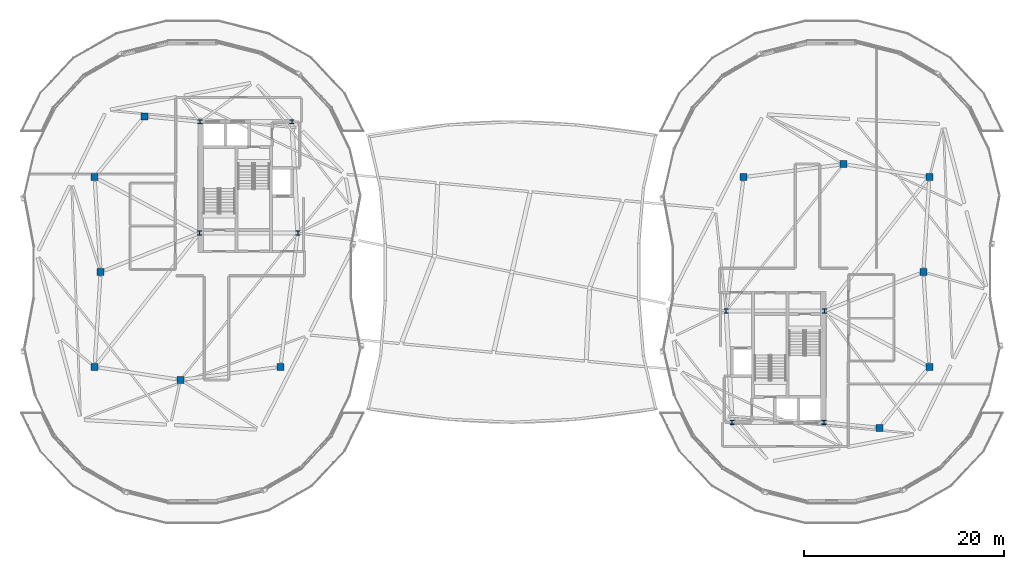
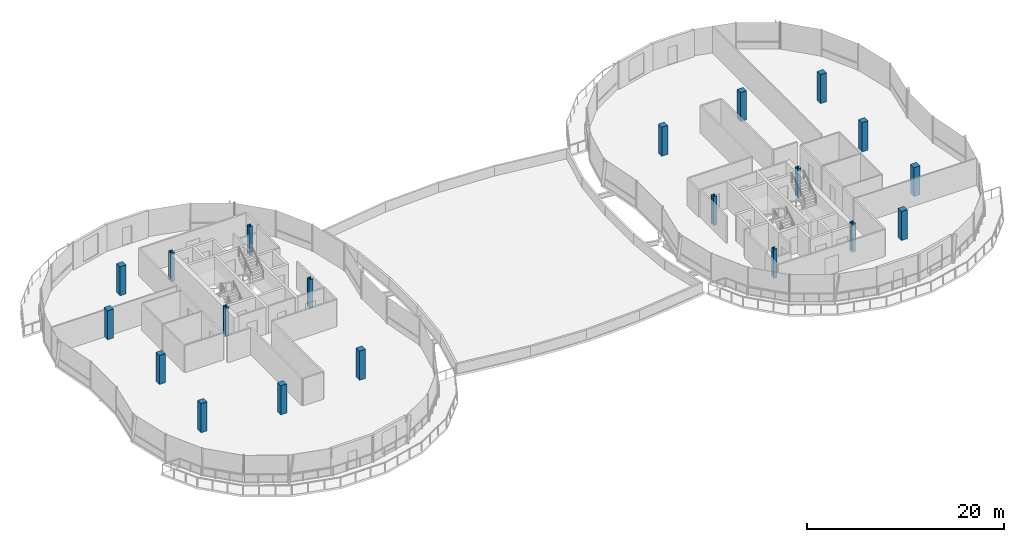
# One storey, part 1 of 31: 20 columns.
"""IFC4 building model written with IfcOpenShell, lengths in metres."""

from ifc_helpers import new_model, si_unit, direction, frame, origin, origin_2d, place, context, subcontext, project, spatial, rectangle, i_section, extrude, material, material_profile, profile_set, type_object, element, save


model = new_model("IFC4")

# Units and contexts
model_context = context("Model", 3, precision=1e-05, world=origin(), true_north=direction((0.0, 1.0)))
body_context = subcontext(model_context, "Body", "Model", "MODEL_VIEW")
ifc_project = project(units=[si_unit("LENGTHUNIT", "METRE"), si_unit("AREAUNIT", "SQUARE_METRE"), si_unit("VOLUMEUNIT", "CUBIC_METRE"), si_unit("PLANEANGLEUNIT", "RADIAN"), si_unit("MASSUNIT", "GRAM", prefix="KILO"), si_unit("THERMODYNAMICTEMPERATUREUNIT", "KELVIN"), si_unit("POWERUNIT", "WATT")], contexts=[model_context])

# Site, building, storey
site_placement = place(None, origin())
site = spatial("IfcSite", under=ifc_project, at=site_placement, CompositionType="ELEMENT")
building_placement = place(site_placement, origin())
building = spatial("IfcBuilding", under=site, at=building_placement, Name="Cundina Bronze Exchange", CompositionType="ELEMENT")
storey_placement = place(building_placement, frame((0.0, 0.0, 275.60009765625)))
storey = spatial("IfcBuildingStorey", under=building, at=storey_placement, Name="L73", CompositionType="ELEMENT", Elevation=275.60009765625)

# Columns
ifc_material_1 = material(Name="Concrete C50/60", Category="concrete")
ifc_material_profile_1 = material_profile(ifc_material_1, rectangle(XDim=0.699951171875, YDim=0.699951171875, at=origin_2d()), Name="RC700X700", Category="concrete")
ifc_profile_set_1 = profile_set([ifc_material_profile_1], Name="Concrete C50/60")
column_type_1 = type_object("IfcColumnType", Name="COL-CRN-700", PredefinedType="COLUMN", material=ifc_profile_set_1)
for number, where, z_axis, x_axis, name in (
    (1, (-41.199951171875, 0.0, 0.0), (0.0, 0.0, 1.0), (1.0, 0.0, 0.0), "L73 W Inner Ring Column 1"),
    (2, (-41.800048828125, 9.5, 0.0), (0.0, 0.0, 1.0), (1.0, 0.0, 0.0), "L73 W Inner Ring Column 2"),
    (3, (-36.800048828125, 15.60009765625, 0.0), (0.0, 0.0, 1.0), (1.0, 0.0, 0.0), "L73 W Inner Ring Column 3"),
    (4, (-41.800048828125, -9.5, 0.0), (0.0, 0.0, 1.0), (1.0, 0.0, 0.0), "L73 W Inner Ring Column 4"),
    (5, (-33.199951171875, -10.800048828125, 0.0), (0.0, 0.0, 1.0), (1.0, 0.0, 0.0), "L73 W Inner Ring Column 5"),
    (6, (-23.199951171875, -9.5, 0.0), (0.0, 0.0, 1.0), (1.0, 0.0, 0.0), "L73 W Inner Ring Column 6"),
    (7, (41.199951171875, 0.0, 0.0), (0.0, 0.0, 1.0), (1.0, 0.0, 0.0), "L73 E Inner Ring Column 1"),
    (8, (41.800048828125, -9.5, 0.0), (0.0, 0.0, 1.0), (1.0, 0.0, 0.0), "L73 E Inner Ring Column 2"),
    (9, (36.800048828125, -15.60009765625, 0.0), (0.0, 0.0, 1.0), (1.0, 0.0, 0.0), "L73 E Inner Ring Column 3"),
    (10, (41.800048828125, 9.5, 0.0), (0.0, 0.0, 1.0), (1.0, 0.0, 0.0), "L73 E Inner Ring Column 4"),
    (11, (33.199951171875, 10.800048828125, 0.0), (0.0, 0.0, 1.0), (1.0, 0.0, 0.0), "L73 E Inner Ring Column 5"),
    (12, (23.199951171875, 9.5, 0.0), (0.0, 0.0, 1.0), (1.0, 0.0, 0.0), "L73 E Inner Ring Column 6"),
):
    element("IfcColumn", number, at=place(storey_placement, frame(where, z_axis=z_axis, x_axis=x_axis)), inside=storey, type_object=column_type_1, Name=name, PredefinedType="COLUMN", context=body_context, shape_type="SweptSolid", body=[
        extrude(rectangle(XDim=0.699951171875, YDim=0.699951171875, at=origin_2d()), origin(), (0.0, 0.0, 1.0), 3.599853515625),
    ])
ifc_material_2 = material(Name="Steel ASTM A992 Grade 50", Category="steel")
ifc_material_profile_2 = material_profile(ifc_material_2, i_section(OverallWidth=0.416015625, OverallDepth=0.446044921875, WebThickness=0.0390625, FlangeThickness=0.062744140625, FilletRadius=0.01806640625, at=origin_2d()), Name="W14X342", Category="steel")
ifc_profile_set_2 = profile_set([ifc_material_profile_2], Name="Steel ASTM A992 Grade 50")
column_type_2 = type_object("IfcColumnType", Name="COL-STL-W14B", PredefinedType="COLUMN", material=ifc_profile_set_2)
for number, where, z_axis, x_axis, name in (
    (13, (-31.300048828125, 3.89990234375, 0.0), (0.0, 0.0, 1.0), (1.0, 0.0, 0.0), "L73 Core Anchor Column W1"),
    (14, (-21.449951171875, 3.89990234375, 0.0), (0.0, 0.0, 1.0), (1.0, 0.0, 0.0), "L73 Core Anchor Column W2"),
    (15, (-22.050048828125, 15.050048828125, 0.0), (0.0, 0.0, 1.0), (1.0, 0.0, 0.0), "L73 Core Anchor Column W3"),
    (16, (-31.25, 15.050048828125, 0.0), (0.0, 0.0, 1.0), (1.0, 0.0, 0.0), "L73 Core Anchor Column W4"),
    (17, (31.300048828125, -3.89990234375, 0.0), (0.0, 0.0, 1.0), (1.0, 0.0, 0.0), "L73 Core Anchor Column E1"),
    (18, (21.449951171875, -3.89990234375, 0.0), (0.0, 0.0, 1.0), (1.0, 0.0, 0.0), "L73 Core Anchor Column E2"),
    (19, (22.050048828125, -15.050048828125, 0.0), (0.0, 0.0, 1.0), (1.0, 0.0, 0.0), "L73 Core Anchor Column E3"),
    (20, (31.25, -15.050048828125, 0.0), (0.0, 0.0, 1.0), (1.0, 0.0, 0.0), "L73 Core Anchor Column E4"),
):
    element("IfcColumn", number, at=place(storey_placement, frame(where, z_axis=z_axis, x_axis=x_axis)), inside=storey, type_object=column_type_2, Name=name, PredefinedType="COLUMN", context=body_context, shape_type="SweptSolid", body=[
        extrude(i_section(OverallWidth=0.416015625, OverallDepth=0.446044921875, WebThickness=0.0390625, FlangeThickness=0.062744140625, FilletRadius=0.01806640625, at=origin_2d()), origin(), (0.0, 0.0, 1.0), 3.599853515625),
    ])

save(model, "model.ifc")
